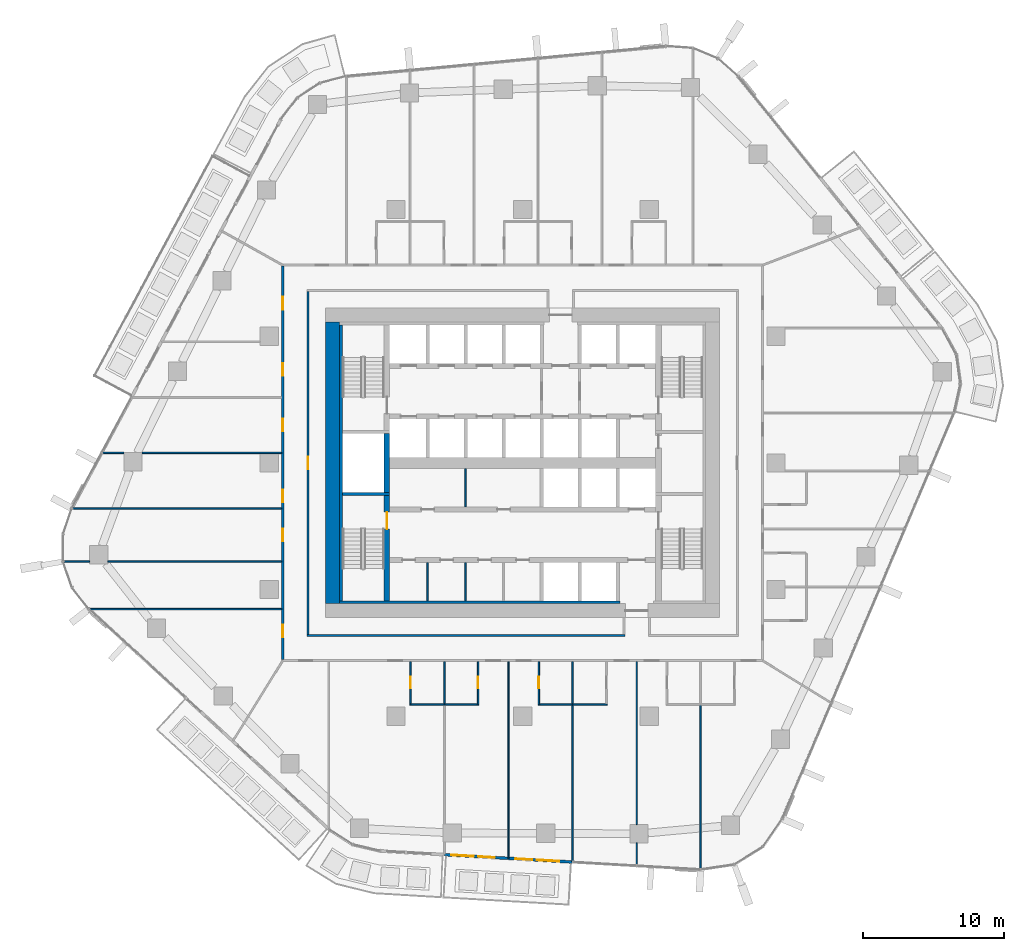
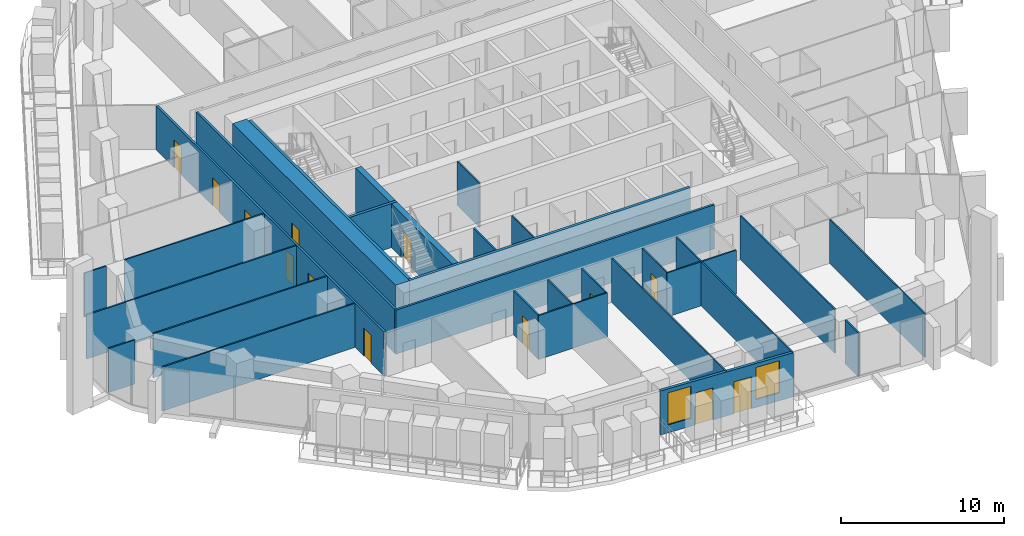
# One storey, part 12 of 24: 31 walls, 13 doors, 2 windows, 15 openings.
"""IFC4 building model written with IfcOpenShell, lengths in metres."""

from ifc_helpers import new_model, si_unit, direction, frame, frame_2d, origin, place, context, subcontext, project, spatial, rectangle, extrude, material, layer, layer_set, type_object, element, fill, save


model = new_model("IFC4")

# Units and contexts
model_context = context("Model", 3, precision=1e-05, world=origin(), true_north=direction((0.0, 1.0)))
body_context = subcontext(model_context, "Body", "Model", "MODEL_VIEW")
ifc_project = project(units=[si_unit("LENGTHUNIT", "METRE"), si_unit("AREAUNIT", "SQUARE_METRE"), si_unit("VOLUMEUNIT", "CUBIC_METRE"), si_unit("PLANEANGLEUNIT", "RADIAN"), si_unit("MASSUNIT", "GRAM", prefix="KILO")], contexts=[model_context])

# Site, building, storey
site_placement = place(None, origin())
site = spatial("IfcSite", under=ifc_project, at=site_placement, CompositionType="ELEMENT")
building_placement = place(site_placement, origin())
building = spatial("IfcBuilding", under=site, at=building_placement, Name="Dongbaek Canopy Tower", CompositionType="ELEMENT")
storey_placement = place(building_placement, frame((0.0, 0.0, 117.39990234375)))
storey = spatial("IfcBuildingStorey", under=building, at=storey_placement, Name="L25", CompositionType="ELEMENT", Elevation=117.39990234375)

# Walls
ifc_material_1 = material(Name="Concrete C60/75", Category="concrete")
ifc_layer_1 = layer(ifc_material_1, 1.0)
ifc_layer_set_1 = layer_set([ifc_layer_1], Name="Core outer wall 1000 Concrete C60/75")
wall_type_1 = type_object("IfcWallType", Name="Core outer wall 1000 Concrete C60/75", PredefinedType="SHEAR", material=ifc_layer_set_1)
wall_1_placement = place(storey_placement, frame((-13.5, -10.0, 0.0), z_axis=(0.0, 0.0, 1.0), x_axis=(0.0, 1.0, 0.0)))
element("IfcWall", 1, at=wall_1_placement, inside=storey, type_object=wall_type_1, Name="Core wall", PredefinedType="SHEAR", context=body_context, shape_type="SweptSolid", body=[
    extrude(rectangle(XDim=20.0, YDim=1.0, at=frame_2d((10.0, 0.0))), origin(), (0.0, 0.0, 1.0), 3.300048828125),
])
ifc_material_2 = material(Name="Concrete C60/75", Category="concrete")
ifc_layer_2 = layer(ifc_material_2, 0.199951171875)
ifc_layer_set_2 = layer_set([ifc_layer_2], Name="Core wall lining 200 Concrete C60/75")
wall_type_2 = type_object("IfcWallType", Name="Core wall lining 200 Concrete C60/75", PredefinedType="SHEAR", material=ifc_layer_set_2)
wall_2_placement = place(storey_placement, frame((6.89990234375, -9.89990234375, 0.0), z_axis=(0.0, 0.0, 1.0), x_axis=(-1.0, 0.0, 0.0)))
element("IfcWall", 2, at=wall_2_placement, inside=storey, type_object=wall_type_2, Name="Core wall lining", PredefinedType="SHEAR", context=body_context, shape_type="SweptSolid", body=[
    extrude(rectangle(XDim=19.89990234375, YDim=0.199951171875, at=frame_2d((9.949951171875, 0.0))), origin(), (0.0, 0.0, 1.0), 3.300048828125),
])
wall_3_placement = place(storey_placement, frame((-12.89990234375, -9.800048828125, 0.0), z_axis=(0.0, 0.0, 1.0), x_axis=(0.0, 1.0, 0.0)))
element("IfcWall", 3, at=wall_3_placement, inside=storey, type_object=wall_type_2, Name="Core wall lining", PredefinedType="SHEAR", context=body_context, shape_type="SweptSolid", body=[
    extrude(rectangle(XDim=19.60009765625, YDim=0.199951171875, at=frame_2d((9.800048828125, 0.0))), origin(), (0.0, 0.0, 1.0), 3.300048828125),
])
ifc_material_3 = material(Name="Gypsum board partition, steel stud, 2 x 15 mm fire board", Category="steel")
ifc_layer_3 = layer(ifc_material_3, 0.14990234375)
ifc_layer_set_3 = layer_set([ifc_layer_3], Name="Fire-rated partition 150 gypsum board")
wall_type_3 = type_object("IfcWallType", Name="Fire-rated partition 150 gypsum board", PredefinedType="PARTITIONING", material=ifc_layer_set_3)
wall_4_placement = place(storey_placement, frame((-15.324951171875, -12.25, 0.0), z_axis=(0.0, 0.0, 1.0), x_axis=(1.0, 0.0, 0.0)))
element("IfcWall", 4, at=wall_4_placement, inside=storey, type_object=wall_type_3, Name="Corridor partition", PredefinedType="PARTITIONING", context=body_context, shape_type="SweptSolid", body=[
    extrude(rectangle(XDim=22.599853515625, YDim=0.14990234375, at=frame_2d((11.2998046875, 0.0))), origin(), (0.0, 0.0, 1.0), 3.300048828125),
])

# Wall, opening, door
wall_5_placement = place(storey_placement, frame((-15.25, 12.175048828125, 0.0), z_axis=(0.0, 0.0, 1.0), x_axis=(0.0, -1.0, 0.0)))
wall_5 = element("IfcWall", 5, at=wall_5_placement, inside=storey, type_object=wall_type_3, Name="Corridor partition", PredefinedType="PARTITIONING", context=body_context, shape_type="SweptSolid", body=[
    extrude(rectangle(XDim=24.35009765625, YDim=0.14990234375, at=frame_2d((12.175048828125, 0.0))), origin(), (0.0, 0.0, 1.0), 3.300048828125),
])
opening_1_placement = place(wall_5_placement, frame((11.72509765625, 0.0, 0.0)))
opening_1 = element("IfcOpeningElement", 6, at=opening_1_placement, cuts=wall_5, Name="Opening L25-D041", PredefinedType="OPENING", context=body_context, shape_type="SweptSolid", body=[
    extrude(rectangle(XDim=0.89990234375, YDim=2.10009765625, at=frame_2d((0.449951171875, 1.050048828125))), frame((0.0, 0.0849609375, 0.0), z_axis=(0.0, -1.0, 0.0), x_axis=(1.0, 0.0, 0.0)), (0.0, 0.0, 1.0), 0.169921875),
])
ifc_material_4 = material(Name="Timber veneered door leaf", Category="wood")
door_type_1 = type_object("IfcDoorType", Name="Room door 900 x 2100", OperationType="SINGLE_SWING_LEFT", PredefinedType="DOOR", material=ifc_material_4)
door_1_placement = place(opening_1_placement, origin())
door_1 = element("IfcDoor", 7, at=door_1_placement, inside=storey, type_object=door_type_1, Name="Door L25-D041", OperationType="SINGLE_SWING_LEFT", OverallHeight=2.10009765625, OverallWidth=0.89990234375, PredefinedType="DOOR", context=body_context, shape_type="SweptSolid", body=[
    extrude(rectangle(XDim=0.89990234375, YDim=2.10009765625, at=frame_2d((0.449951171875, 1.050048828125))), frame((0.0, 0.02490234375, 0.0), z_axis=(0.0, -1.0, 0.0), x_axis=(1.0, 0.0, 0.0)), (0.0, 0.0, 1.0), 0.050048828125),
])
fill(opening_1, door_1)

# Wall, openings, doors
wall_6_placement = place(storey_placement, frame((-17.050048828125, -13.97509765625, 0.0), z_axis=(0.0, 0.0, 1.0), x_axis=(0.0, 1.0, 0.0)))
wall_6 = element("IfcWall", 8, at=wall_6_placement, inside=storey, type_object=wall_type_3, Name="Corridor partition", PredefinedType="PARTITIONING", context=body_context, shape_type="SweptSolid", body=[
    extrude(rectangle(XDim=27.9501953125, YDim=0.14990234375, at=frame_2d((13.97509765625, 0.0))), origin(), (0.0, 0.0, 1.0), 3.300048828125),
])
opening_2_placement = place(wall_6_placement, frame((11.186279296875, 0.0, 0.0)))
opening_2 = element("IfcOpeningElement", 9, at=opening_2_placement, cuts=wall_6, Name="Opening L25-D001", PredefinedType="OPENING", context=body_context, shape_type="SweptSolid", body=[
    extrude(rectangle(XDim=0.89990234375, YDim=2.10009765625, at=frame_2d((0.449951171875, 1.050048828125))), frame((0.0, 0.0849609375, 0.0), z_axis=(0.0, -1.0, 0.0), x_axis=(1.0, 0.0, 0.0)), (0.0, 0.0, 1.0), 0.169921875),
])
opening_3_placement = place(wall_6_placement, frame((8.403564453125, 0.0, 0.0)))
opening_3 = element("IfcOpeningElement", 10, at=opening_3_placement, cuts=wall_6, Name="Opening L25-D002", PredefinedType="OPENING", context=body_context, shape_type="SweptSolid", body=[
    extrude(rectangle(XDim=0.89990234375, YDim=2.10009765625, at=frame_2d((0.449951171875, 1.050048828125))), frame((0.0, 0.0849609375, 0.0), z_axis=(0.0, -1.0, 0.0), x_axis=(1.0, 0.0, 0.0)), (0.0, 0.0, 1.0), 0.169921875),
])
opening_4_placement = place(wall_6_placement, frame((1.580078125, 0.0, 0.0)))
opening_4 = element("IfcOpeningElement", 11, at=opening_4_placement, cuts=wall_6, Name="Opening L25-D003", PredefinedType="OPENING", context=body_context, shape_type="SweptSolid", body=[
    extrude(rectangle(XDim=0.89990234375, YDim=2.10009765625, at=frame_2d((0.449951171875, 1.050048828125))), frame((0.0, 0.0849609375, 0.0), z_axis=(0.0, -1.0, 0.0), x_axis=(1.0, 0.0, 0.0)), (0.0, 0.0, 1.0), 0.169921875),
])
opening_5_placement = place(wall_6_placement, frame((24.870849609375, 0.0, 0.0)))
opening_5 = element("IfcOpeningElement", 12, at=opening_5_placement, cuts=wall_6, Name="Opening L25-D038", PredefinedType="OPENING", context=body_context, shape_type="SweptSolid", body=[
    extrude(rectangle(XDim=0.89990234375, YDim=2.10009765625, at=frame_2d((0.449951171875, 1.050048828125))), frame((0.0, 0.0849609375, 0.0), z_axis=(0.0, -1.0, 0.0), x_axis=(1.0, 0.0, 0.0)), (0.0, 0.0, 1.0), 0.169921875),
])
opening_6_placement = place(wall_6_placement, frame((20.15869140625, 0.0, 0.0)))
opening_6 = element("IfcOpeningElement", 13, at=opening_6_placement, cuts=wall_6, Name="Opening L25-D039", PredefinedType="OPENING", context=body_context, shape_type="SweptSolid", body=[
    extrude(rectangle(XDim=0.89990234375, YDim=2.10009765625, at=frame_2d((0.449951171875, 1.050048828125))), frame((0.0, 0.0849609375, 0.0), z_axis=(0.0, -1.0, 0.0), x_axis=(1.0, 0.0, 0.0)), (0.0, 0.0, 1.0), 0.169921875),
])
opening_7_placement = place(wall_6_placement, frame((16.210693359375, 0.0, 0.0)))
opening_7 = element("IfcOpeningElement", 14, at=opening_7_placement, cuts=wall_6, Name="Opening L25-D040", PredefinedType="OPENING", context=body_context, shape_type="SweptSolid", body=[
    extrude(rectangle(XDim=0.89990234375, YDim=2.10009765625, at=frame_2d((0.449951171875, 1.050048828125))), frame((0.0, 0.0849609375, 0.0), z_axis=(0.0, -1.0, 0.0), x_axis=(1.0, 0.0, 0.0)), (0.0, 0.0, 1.0), 0.169921875),
])
door_2_placement = place(opening_2_placement, origin())
door_2 = element("IfcDoor", 15, at=door_2_placement, inside=storey, type_object=door_type_1, Name="Door L25-D001", OperationType="SINGLE_SWING_RIGHT", OverallHeight=2.10009765625, OverallWidth=0.89990234375, PredefinedType="DOOR", context=body_context, shape_type="SweptSolid", body=[
    extrude(rectangle(XDim=0.89990234375, YDim=2.10009765625, at=frame_2d((0.449951171875, 1.050048828125))), frame((0.0, 0.02490234375, 0.0), z_axis=(0.0, -1.0, 0.0), x_axis=(1.0, 0.0, 0.0)), (0.0, 0.0, 1.0), 0.050048828125),
])
fill(opening_2, door_2)
door_3_placement = place(opening_3_placement, origin())
door_3 = element("IfcDoor", 16, at=door_3_placement, inside=storey, type_object=door_type_1, Name="Door L25-D002", OperationType="SINGLE_SWING_LEFT", OverallHeight=2.10009765625, OverallWidth=0.89990234375, PredefinedType="DOOR", context=body_context, shape_type="SweptSolid", body=[
    extrude(rectangle(XDim=0.89990234375, YDim=2.10009765625, at=frame_2d((0.449951171875, 1.050048828125))), frame((0.0, 0.02490234375, 0.0), z_axis=(0.0, -1.0, 0.0), x_axis=(1.0, 0.0, 0.0)), (0.0, 0.0, 1.0), 0.050048828125),
])
fill(opening_3, door_3)
door_4_placement = place(opening_4_placement, origin())
door_4 = element("IfcDoor", 17, at=door_4_placement, inside=storey, type_object=door_type_1, Name="Door L25-D003", OperationType="SINGLE_SWING_LEFT", OverallHeight=2.10009765625, OverallWidth=0.89990234375, PredefinedType="DOOR", context=body_context, shape_type="SweptSolid", body=[
    extrude(rectangle(XDim=0.89990234375, YDim=2.10009765625, at=frame_2d((0.449951171875, 1.050048828125))), frame((0.0, 0.02490234375, 0.0), z_axis=(0.0, -1.0, 0.0), x_axis=(1.0, 0.0, 0.0)), (0.0, 0.0, 1.0), 0.050048828125),
])
fill(opening_4, door_4)
door_5_placement = place(opening_5_placement, origin())
door_5 = element("IfcDoor", 18, at=door_5_placement, inside=storey, type_object=door_type_1, Name="Door L25-D038", OperationType="SINGLE_SWING_RIGHT", OverallHeight=2.10009765625, OverallWidth=0.89990234375, PredefinedType="DOOR", context=body_context, shape_type="SweptSolid", body=[
    extrude(rectangle(XDim=0.89990234375, YDim=2.10009765625, at=frame_2d((0.449951171875, 1.050048828125))), frame((0.0, 0.02490234375, 0.0), z_axis=(0.0, -1.0, 0.0), x_axis=(1.0, 0.0, 0.0)), (0.0, 0.0, 1.0), 0.050048828125),
])
fill(opening_5, door_5)
door_6_placement = place(opening_6_placement, origin())
door_6 = element("IfcDoor", 19, at=door_6_placement, inside=storey, type_object=door_type_1, Name="Door L25-D039", OperationType="SINGLE_SWING_LEFT", OverallHeight=2.10009765625, OverallWidth=0.89990234375, PredefinedType="DOOR", context=body_context, shape_type="SweptSolid", body=[
    extrude(rectangle(XDim=0.89990234375, YDim=2.10009765625, at=frame_2d((0.449951171875, 1.050048828125))), frame((0.0, 0.02490234375, 0.0), z_axis=(0.0, -1.0, 0.0), x_axis=(1.0, 0.0, 0.0)), (0.0, 0.0, 1.0), 0.050048828125),
])
fill(opening_6, door_6)
door_7_placement = place(opening_7_placement, origin())
door_7 = element("IfcDoor", 20, at=door_7_placement, inside=storey, type_object=door_type_1, Name="Door L25-D040", OperationType="SINGLE_SWING_RIGHT", OverallHeight=2.10009765625, OverallWidth=0.89990234375, PredefinedType="DOOR", context=body_context, shape_type="SweptSolid", body=[
    extrude(rectangle(XDim=0.89990234375, YDim=2.10009765625, at=frame_2d((0.449951171875, 1.050048828125))), frame((0.0, 0.02490234375, 0.0), z_axis=(0.0, -1.0, 0.0), x_axis=(1.0, 0.0, 0.0)), (0.0, 0.0, 1.0), 0.050048828125),
])
fill(opening_7, door_7)

# Walls
ifc_material_5 = material(Name="Gypsum board partition, steel stud, 2 x 12.5 mm board", Category="steel")
ifc_layer_4 = layer(ifc_material_5, 0.10009765625)
ifc_layer_set_4 = layer_set([ifc_layer_4], Name="Partition 100 gypsum board")
wall_type_4 = type_object("IfcWallType", Name="Partition 100 gypsum board", PredefinedType="PARTITIONING", material=ifc_layer_set_4)
for number, where, z_axis, x_axis, name in (
    (21, (-8.01708984375, -17.14990234375, 0.0), (0.0, 0.0, 1.0), (1.0, 0.0, 0.0), "Partition"),
    (22, (1.09521484375, -17.14990234375, 0.0), (0.0, 0.0, 1.0), (1.0, 0.0, 0.0), "Partition"),
):
    element("IfcWall", number, at=place(storey_placement, frame(where, z_axis=z_axis, x_axis=x_axis)), inside=storey, type_object=wall_type_4, Name=name, PredefinedType="PARTITIONING", context=body_context, shape_type="SweptSolid", body=[
        extrude(rectangle(XDim=4.89990234375, YDim=0.10009765625, at=frame_2d((2.449951171875, 0.0))), origin(), (0.0, 0.0, 1.0), 3.300048828125),
    ])
wall_7_placement = place(storey_placement, frame((-30.79296875, -10.383056640625, 0.0), z_axis=(0.0, 0.0, 1.0), x_axis=(1.0, 0.0, 0.0)))
element("IfcWall", 23, at=wall_7_placement, inside=storey, type_object=wall_type_4, Name="Partition", PredefinedType="PARTITIONING", context=body_context, shape_type="SweptSolid", body=[
    extrude(rectangle(XDim=13.66796875, YDim=0.10009765625, at=frame_2d((6.833984375, 0.0))), origin(), (0.0, 0.0, 1.0), 3.300048828125),
])
wall_8_placement = place(storey_placement, frame((-32.63525390625, -7.013916015625, 0.0), z_axis=(0.0, 0.0, 1.0), x_axis=(1.0, 0.0, 0.0)))
element("IfcWall", 24, at=wall_8_placement, inside=storey, type_object=wall_type_4, Name="Partition", PredefinedType="PARTITIONING", context=body_context, shape_type="SweptSolid", body=[
    extrude(rectangle(XDim=1.8603515625, YDim=0.10009765625, at=frame_2d((0.93017578125, 0.0))), origin(), (0.0, 0.0, 1.0), 3.300048828125),
])
wall_9_placement = place(storey_placement, frame((-29.47509765625, -7.013916015625, 0.0), z_axis=(0.0, 0.0, 1.0), x_axis=(1.0, 0.0, 0.0)))
element("IfcWall", 25, at=wall_9_placement, inside=storey, type_object=wall_type_4, Name="Partition", PredefinedType="PARTITIONING", context=body_context, shape_type="SweptSolid", body=[
    extrude(rectangle(XDim=12.35009765625, YDim=0.10009765625, at=frame_2d((6.175048828125, 0.0))), origin(), (0.0, 0.0, 1.0), 3.300048828125),
])
wall_10_placement = place(storey_placement, frame((-32.0107421875, -3.22900390625, 0.0), z_axis=(0.0, 0.0, 1.0), x_axis=(1.0, 0.0, 0.0)))
element("IfcWall", 26, at=wall_10_placement, inside=storey, type_object=wall_type_4, Name="Partition", PredefinedType="PARTITIONING", context=body_context, shape_type="SweptSolid", body=[
    extrude(rectangle(XDim=14.8857421875, YDim=0.10009765625, at=frame_2d((7.44287109375, 0.0))), origin(), (0.0, 0.0, 1.0), 3.300048828125),
])
wall_11_placement = place(storey_placement, frame((-29.892822265625, 0.7119140625, 0.0), z_axis=(0.0, 0.0, 1.0), x_axis=(1.0, 0.0, 0.0)))
element("IfcWall", 27, at=wall_11_placement, inside=storey, type_object=wall_type_4, Name="Partition", PredefinedType="PARTITIONING", context=body_context, shape_type="SweptSolid", body=[
    extrude(rectangle(XDim=1.5498046875, YDim=0.10009765625, at=frame_2d((0.77490234375, 0.0))), origin(), (0.0, 0.0, 1.0), 3.300048828125),
])
wall_12_placement = place(storey_placement, frame((-27.04296875, 0.7119140625, 0.0), z_axis=(0.0, 0.0, 1.0), x_axis=(1.0, 0.0, 0.0)))
element("IfcWall", 28, at=wall_12_placement, inside=storey, type_object=wall_type_4, Name="Partition", PredefinedType="PARTITIONING", context=body_context, shape_type="SweptSolid", body=[
    extrude(rectangle(XDim=9.91796875, YDim=0.10009765625, at=frame_2d((4.958984375, 0.0))), origin(), (0.0, 0.0, 1.0), 3.300048828125),
])
wall_13_placement = place(storey_placement, frame((12.64697265625, -28.864013671875, 0.0), z_axis=(0.0, 0.0, 1.0), x_axis=(0.0, 1.0, 0.0)))
element("IfcWall", 29, at=wall_13_placement, inside=storey, type_object=wall_type_4, Name="Partition", PredefinedType="PARTITIONING", context=body_context, shape_type="SweptSolid", body=[
    extrude(rectangle(XDim=11.6640625, YDim=0.10009765625, at=frame_2d((5.83203125, 0.0))), origin(), (0.0, 0.0, 1.0), 3.300048828125),
])
wall_14_placement = place(storey_placement, frame((8.10107421875, -28.601318359375, 0.0), z_axis=(0.0, 0.0, 1.0), x_axis=(0.0, 1.0, 0.0)))
element("IfcWall", 30, at=wall_14_placement, inside=storey, type_object=wall_type_4, Name="Partition", PredefinedType="PARTITIONING", context=body_context, shape_type="SweptSolid", body=[
    extrude(rectangle(XDim=1.602294921875, YDim=0.10009765625, at=frame_2d((0.80126953125, 0.0))), origin(), (0.0, 0.0, 1.0), 3.300048828125),
])
wall_15_placement = place(storey_placement, frame((8.10107421875, -25.698974609375, 0.0), z_axis=(0.0, 0.0, 1.0), x_axis=(0.0, 1.0, 0.0)))
element("IfcWall", 31, at=wall_15_placement, inside=storey, type_object=wall_type_4, Name="Partition", PredefinedType="PARTITIONING", context=body_context, shape_type="SweptSolid", body=[
    extrude(rectangle(XDim=11.573974609375, YDim=0.10009765625, at=frame_2d((5.787109375, 0.0))), origin(), (0.0, 0.0, 1.0), 3.300048828125),
])
wall_16_placement = place(storey_placement, frame((3.544921875, -28.337646484375, 0.0), z_axis=(0.0, 0.0, 1.0), x_axis=(0.0, 1.0, 0.0)))
element("IfcWall", 32, at=wall_16_placement, inside=storey, type_object=wall_type_4, Name="Partition", PredefinedType="PARTITIONING", context=body_context, shape_type="SweptSolid", body=[
    extrude(rectangle(XDim=11.1376953125, YDim=0.10009765625, at=frame_2d((5.56884765625, 0.0))), origin(), (0.0, 0.0, 1.0), 3.300048828125),
])
wall_17_placement = place(storey_placement, frame((3.544921875, -17.10009765625, 0.0), z_axis=(0.0, 0.0, 1.0), x_axis=(0.0, 1.0, 0.0)))
element("IfcWall", 33, at=wall_17_placement, inside=storey, type_object=wall_type_4, Name="Partition", PredefinedType="PARTITIONING", context=body_context, shape_type="SweptSolid", body=[
    extrude(rectangle(XDim=2.97509765625, YDim=0.10009765625, at=frame_2d((1.487548828125, 0.0))), origin(), (0.0, 0.0, 1.0), 3.300048828125),
])

# Wall, opening, door
wall_18_placement = place(storey_placement, frame((1.14501953125, -14.125, 0.0), z_axis=(0.0, 0.0, 1.0), x_axis=(0.0, -1.0, 0.0)))
wall_18 = element("IfcWall", 34, at=wall_18_placement, inside=storey, type_object=wall_type_4, Name="Partition", PredefinedType="PARTITIONING", context=body_context, shape_type="SweptSolid", body=[
    extrude(rectangle(XDim=3.02490234375, YDim=0.10009765625, at=frame_2d((1.512451171875, 0.0))), origin(), (0.0, 0.0, 1.0), 3.300048828125),
])
opening_8_placement = place(wall_18_placement, frame((1.074951171875, 0.0, 0.0)))
opening_8 = element("IfcOpeningElement", 35, at=opening_8_placement, cuts=wall_18, Name="Opening L25-D009", PredefinedType="OPENING", context=body_context, shape_type="SweptSolid", body=[
    extrude(rectangle(XDim=0.800048828125, YDim=2.10009765625, at=frame_2d((0.39990234375, 1.050048828125))), frame((0.0, 0.06005859375, 0.0), z_axis=(0.0, -1.0, 0.0), x_axis=(1.0, 0.0, 0.0)), (0.0, 0.0, 1.0), 0.1201171875),
])
ifc_material_6 = material(Name="Timber veneered door leaf", Category="wood")
door_type_2 = type_object("IfcDoorType", Name="En-suite door 800 x 2100", OperationType="SINGLE_SWING_LEFT", PredefinedType="DOOR", material=ifc_material_6)
door_8_placement = place(opening_8_placement, origin())
door_8 = element("IfcDoor", 36, at=door_8_placement, inside=storey, type_object=door_type_2, Name="Door L25-D009", OperationType="SINGLE_SWING_RIGHT", OverallHeight=2.10009765625, OverallWidth=0.800048828125, PredefinedType="DOOR", context=body_context, shape_type="SweptSolid", body=[
    extrude(rectangle(XDim=0.800048828125, YDim=2.10009765625, at=frame_2d((0.39990234375, 1.050048828125))), frame((0.0, 0.02490234375, 0.0), z_axis=(0.0, -1.0, 0.0), x_axis=(1.0, 0.0, 0.0)), (0.0, 0.0, 1.0), 0.050048828125),
])
fill(opening_8, door_8)

# Wall
wall_19_placement = place(storey_placement, frame((-1.010986328125, -28.07421875, 0.0), z_axis=(0.0, 0.0, 1.0), x_axis=(0.0, 1.0, 0.0)))
element("IfcWall", 37, at=wall_19_placement, inside=storey, type_object=wall_type_4, Name="Partition", PredefinedType="PARTITIONING", context=body_context, shape_type="SweptSolid", body=[
    extrude(rectangle(XDim=13.94921875, YDim=0.10009765625, at=frame_2d((6.974609375, 0.0))), origin(), (0.0, 0.0, 1.0), 3.300048828125),
])

# Wall, opening, door
wall_20_placement = place(storey_placement, frame((-3.1669921875, -17.14990234375, 0.0), z_axis=(0.0, 0.0, 1.0), x_axis=(0.0, 1.0, 0.0)))
wall_20 = element("IfcWall", 38, at=wall_20_placement, inside=storey, type_object=wall_type_4, Name="Partition", PredefinedType="PARTITIONING", context=body_context, shape_type="SweptSolid", body=[
    extrude(rectangle(XDim=3.02490234375, YDim=0.10009765625, at=frame_2d((1.512451171875, 0.0))), origin(), (0.0, 0.0, 1.0), 3.300048828125),
])
opening_9_placement = place(wall_20_placement, frame((1.14990234375, 0.0, 0.0)))
opening_9 = element("IfcOpeningElement", 39, at=opening_9_placement, cuts=wall_20, Name="Opening L25-D007", PredefinedType="OPENING", context=body_context, shape_type="SweptSolid", body=[
    extrude(rectangle(XDim=0.800048828125, YDim=2.10009765625, at=frame_2d((0.39990234375, 1.050048828125))), frame((0.0, 0.06005859375, 0.0), z_axis=(0.0, -1.0, 0.0), x_axis=(1.0, 0.0, 0.0)), (0.0, 0.0, 1.0), 0.1201171875),
])
door_9_placement = place(opening_9_placement, origin())
door_9 = element("IfcDoor", 40, at=door_9_placement, inside=storey, type_object=door_type_2, Name="Door L25-D007", OperationType="SINGLE_SWING_LEFT", OverallHeight=2.10009765625, OverallWidth=0.800048828125, PredefinedType="DOOR", context=body_context, shape_type="SweptSolid", body=[
    extrude(rectangle(XDim=0.800048828125, YDim=2.10009765625, at=frame_2d((0.39990234375, 1.050048828125))), frame((0.0, 0.02490234375, 0.0), z_axis=(0.0, -1.0, 0.0), x_axis=(1.0, 0.0, 0.0)), (0.0, 0.0, 1.0), 0.050048828125),
])
fill(opening_9, door_9)

# Wall
wall_21_placement = place(storey_placement, frame((-5.56689453125, -17.10009765625, 0.0), z_axis=(0.0, 0.0, 1.0), x_axis=(0.0, 1.0, 0.0)))
element("IfcWall", 41, at=wall_21_placement, inside=storey, type_object=wall_type_4, Name="Partition", PredefinedType="PARTITIONING", context=body_context, shape_type="SweptSolid", body=[
    extrude(rectangle(XDim=2.97509765625, YDim=0.10009765625, at=frame_2d((1.487548828125, 0.0))), origin(), (0.0, 0.0, 1.0), 3.300048828125),
])

# Wall, opening, door
wall_22_placement = place(storey_placement, frame((-7.967041015625, -14.125, 0.0), z_axis=(0.0, 0.0, 1.0), x_axis=(0.0, -1.0, 0.0)))
wall_22 = element("IfcWall", 42, at=wall_22_placement, inside=storey, type_object=wall_type_4, Name="Partition", PredefinedType="PARTITIONING", context=body_context, shape_type="SweptSolid", body=[
    extrude(rectangle(XDim=2.97509765625, YDim=0.10009765625, at=frame_2d((1.487548828125, 0.0))), origin(), (0.0, 0.0, 1.0), 3.300048828125),
])
opening_10_placement = place(wall_22_placement, frame((1.074951171875, 0.0, 0.0)))
opening_10 = element("IfcOpeningElement", 43, at=opening_10_placement, cuts=wall_22, Name="Opening L25-D005", PredefinedType="OPENING", context=body_context, shape_type="SweptSolid", body=[
    extrude(rectangle(XDim=0.800048828125, YDim=2.10009765625, at=frame_2d((0.39990234375, 1.050048828125))), frame((0.0, 0.06005859375, 0.0), z_axis=(0.0, -1.0, 0.0), x_axis=(1.0, 0.0, 0.0)), (0.0, 0.0, 1.0), 0.1201171875),
])
door_10_placement = place(opening_10_placement, origin())
door_10 = element("IfcDoor", 44, at=door_10_placement, inside=storey, type_object=door_type_2, Name="Door L25-D005", OperationType="SINGLE_SWING_RIGHT", OverallHeight=2.10009765625, OverallWidth=0.800048828125, PredefinedType="DOOR", context=body_context, shape_type="SweptSolid", body=[
    extrude(rectangle(XDim=0.800048828125, YDim=2.10009765625, at=frame_2d((0.39990234375, 1.050048828125))), frame((0.0, 0.02490234375, 0.0), z_axis=(0.0, -1.0, 0.0), x_axis=(1.0, 0.0, 0.0)), (0.0, 0.0, 1.0), 0.050048828125),
])
fill(opening_10, door_10)

# Walls
for number, where, z_axis, x_axis, name in (
    (45, (-4.050048828125, -9.800048828125, 0.0), (0.0, 0.0, 1.0), (0.0, 1.0, 0.0), "Core partition"),
    (46, (-4.050048828125, -3.125, 0.0), (0.0, 0.0, 1.0), (0.0, 1.0, 0.0), "Core partition"),
    (47, (-6.75, -9.800048828125, 0.0), (0.0, 0.0, 1.0), (0.0, 1.0, 0.0), "Core partition"),
):
    element("IfcWall", number, at=place(storey_placement, frame(where, z_axis=z_axis, x_axis=x_axis)), inside=storey, type_object=wall_type_4, Name=name, PredefinedType="PARTITIONING", context=body_context, shape_type="SweptSolid", body=[
        extrude(rectangle(XDim=2.72509765625, YDim=0.10009765625, at=frame_2d((1.362548828125, 0.0))), origin(), (0.0, 0.0, 1.0), 3.300048828125),
    ])
ifc_material_7 = material(Name="Concrete C60/75", Category="concrete")
ifc_layer_5 = layer(ifc_material_7, 0.199951171875)
ifc_layer_set_5 = layer_set([ifc_layer_5], Name="Riser wall 200 Concrete C60/75")
wall_type_5 = type_object("IfcWallType", Name="Riser wall 200 Concrete C60/75", PredefinedType="SHEAR", material=ifc_layer_set_5)
wall_23_placement = place(storey_placement, frame((-9.449951171875, -2.199951171875, 0.0), z_axis=(0.0, 0.0, 1.0), x_axis=(-1.0, 0.0, 0.0)))
element("IfcWall", 48, at=wall_23_placement, inside=storey, type_object=wall_type_5, Name="Riser wall", PredefinedType="SHEAR", context=body_context, shape_type="SweptSolid", body=[
    extrude(rectangle(XDim=3.35009765625, YDim=0.199951171875, at=frame_2d((1.675048828125, 0.0))), origin(), (0.0, 0.0, 1.0), 3.300048828125),
])

# Wall, opening, door
ifc_material_8 = material(Name="Concrete C60/75", Category="concrete")
ifc_layer_6 = layer(ifc_material_8, 0.39990234375)
ifc_layer_set_6 = layer_set([ifc_layer_6], Name="Stair wall 400 Concrete C60/75")
wall_type_6 = type_object("IfcWallType", Name="Stair wall 400 Concrete C60/75", PredefinedType="SHEAR", material=ifc_layer_set_6)
wall_24_placement = place(storey_placement, frame((-9.64990234375, -9.800048828125, 0.0), z_axis=(0.0, 0.0, 1.0), x_axis=(0.0, 1.0, 0.0)))
wall_24 = element("IfcWall", 49, at=wall_24_placement, inside=storey, type_object=wall_type_6, Name="Stair wall", PredefinedType="SHEAR", context=body_context, shape_type="SweptSolid", body=[
    extrude(rectangle(XDim=7.5, YDim=0.39990234375, at=frame_2d((3.75, 0.0))), origin(), (0.0, 0.0, 1.0), 3.300048828125),
])
opening_11_placement = place(wall_24_placement, frame((5.10009765625, 0.0, 0.0)))
opening_11 = element("IfcOpeningElement", 50, at=opening_11_placement, cuts=wall_24, Name="Opening L25-D071", PredefinedType="OPENING", context=body_context, shape_type="SweptSolid", body=[
    extrude(rectangle(XDim=1.199951171875, YDim=2.10009765625, at=frame_2d((0.60009765625, 1.050048828125))), frame((0.0, 0.2099609375, 0.0), z_axis=(0.0, -1.0, 0.0), x_axis=(1.0, 0.0, 0.0)), (0.0, 0.0, 1.0), 0.419921875),
])
ifc_material_9 = material(Name="Steel", Category="steel")
door_type_3 = type_object("IfcDoorType", Name="Stair door 1200 x 2100", OperationType="SINGLE_SWING_LEFT", PredefinedType="DOOR", material=ifc_material_9)
door_11_placement = place(opening_11_placement, origin())
door_11 = element("IfcDoor", 51, at=door_11_placement, inside=storey, type_object=door_type_3, Name="Stair D door", OperationType="SINGLE_SWING_LEFT", OverallHeight=2.10009765625, OverallWidth=1.199951171875, PredefinedType="DOOR", context=body_context, shape_type="SweptSolid", body=[
    extrude(rectangle(XDim=1.199951171875, YDim=2.10009765625, at=frame_2d((0.60009765625, 1.050048828125))), frame((0.0, 0.02490234375, 0.0), z_axis=(0.0, -1.0, 0.0), x_axis=(1.0, 0.0, 0.0)), (0.0, 0.0, 1.0), 0.050048828125),
])
fill(opening_11, door_11)

# Wall
wall_25_placement = place(storey_placement, frame((-9.64990234375, -2.10009765625, 0.0), z_axis=(0.0, 0.0, 1.0), x_axis=(0.0, 1.0, 0.0)))
element("IfcWall", 52, at=wall_25_placement, inside=storey, type_object=wall_type_6, Name="Stair wall", PredefinedType="SHEAR", context=body_context, shape_type="SweptSolid", body=[
    extrude(rectangle(XDim=4.2001953125, YDim=0.39990234375, at=frame_2d((2.10009765625, 0.0))), origin(), (0.0, 0.0, 1.0), 3.300048828125),
])

# Wall, openings, doors, windows
ifc_material_10 = material(Name="Aluminium window wall", Category="aluminium")
ifc_layer_7 = layer(ifc_material_10, 0.199951171875)
ifc_layer_set_7 = layer_set([ifc_layer_7], Name="Window wall 200")
wall_type_7 = type_object("IfcWallType", Name="Window wall 200", PredefinedType="SOLIDWALL", material=ifc_layer_set_7)
wall_26_placement = place(storey_placement, frame((-5.567138671875, -27.83056640625, 0.0), z_axis=(0.0, 0.0, 1.0), x_axis=(0.998331175274, -0.057748285484, 0.0)))
wall_26 = element("IfcWall", 53, at=wall_26_placement, inside=storey, type_object=wall_type_7, Name="Window wall L25 4", PredefinedType="SOLIDWALL", context=body_context, shape_type="SweptSolid", body=[
    extrude(rectangle(XDim=9.12744140625, YDim=0.199951171875, at=frame_2d((4.563720703125, 0.0))), origin(), (0.0, 0.0, 1.0), 3.300048828125),
])
opening_12_placement = place(wall_26_placement, frame((0.5, 0.0, 0.60009765625)))
opening_12 = element("IfcOpeningElement", 54, at=opening_12_placement, cuts=wall_26, Name="Opening W1", PredefinedType="OPENING", context=body_context, shape_type="SweptSolid", body=[
    extrude(rectangle(XDim=1.60009765625, YDim=2.39990234375, at=frame_2d((0.800048828125, 1.199951171875))), frame((0.0, 0.10986328125, 0.0), z_axis=(0.0, -1.0, 0.0), x_axis=(1.0, 0.0, 0.0)), (0.0, 0.0, 1.0), 0.219970703125),
])
opening_13_placement = place(wall_26_placement, frame((2.39990234375, 0.0, 0.0)))
opening_13 = element("IfcOpeningElement", 55, at=opening_13_placement, cuts=wall_26, Name="Opening L25-B12", PredefinedType="OPENING", context=body_context, shape_type="SweptSolid", body=[
    extrude(rectangle(XDim=1.199951171875, YDim=2.39990234375, at=frame_2d((0.60009765625, 1.199951171875))), frame((0.0, 0.10986328125, 0.0), z_axis=(0.0, -1.0, 0.0), x_axis=(1.0, 0.0, 0.0)), (0.0, 0.0, 1.0), 0.219970703125),
])
opening_14_placement = place(wall_26_placement, frame((6.563720703125, 0.0, 0.60009765625)))
opening_14 = element("IfcOpeningElement", 56, at=opening_14_placement, cuts=wall_26, Name="Opening W1", PredefinedType="OPENING", context=body_context, shape_type="SweptSolid", body=[
    extrude(rectangle(XDim=1.60009765625, YDim=2.39990234375, at=frame_2d((0.800048828125, 1.199951171875))), frame((0.0, 0.10986328125, 0.0), z_axis=(0.0, -1.0, 0.0), x_axis=(1.0, 0.0, 0.0)), (0.0, 0.0, 1.0), 0.219970703125),
])
opening_15_placement = place(wall_26_placement, frame((5.063720703125, 0.0, 0.0)))
opening_15 = element("IfcOpeningElement", 57, at=opening_15_placement, cuts=wall_26, Name="Opening L25-B13", PredefinedType="OPENING", context=body_context, shape_type="SweptSolid", body=[
    extrude(rectangle(XDim=1.199951171875, YDim=2.39990234375, at=frame_2d((0.60009765625, 1.199951171875))), frame((0.0, 0.10986328125, 0.0), z_axis=(0.0, -1.0, 0.0), x_axis=(1.0, 0.0, 0.0)), (0.0, 0.0, 1.0), 0.219970703125),
])
ifc_material_11 = material(Name="Clear glazing in aluminium frame", Category="aluminium")
door_type_4 = type_object("IfcDoorType", Name="Balcony door BD1 1200 x 2400", OperationType="SLIDING_TO_LEFT", PredefinedType="DOOR", material=ifc_material_11)
door_12_placement = place(opening_13_placement, origin())
door_12 = element("IfcDoor", 58, at=door_12_placement, inside=storey, type_object=door_type_4, Name="Balcony door L25-B12", OperationType="SLIDING_TO_LEFT", OverallHeight=2.39990234375, OverallWidth=1.199951171875, PredefinedType="DOOR", context=body_context, shape_type="SweptSolid", body=[
    extrude(rectangle(XDim=1.199951171875, YDim=2.39990234375, at=frame_2d((0.60009765625, 1.199951171875))), frame((0.0, 0.02490234375, 0.0), z_axis=(0.0, -1.0, 0.0), x_axis=(1.0, 0.0, 0.0)), (0.0, 0.0, 1.0), 0.050048828125),
])
fill(opening_13, door_12)
door_13_placement = place(opening_15_placement, origin())
door_13 = element("IfcDoor", 59, at=door_13_placement, inside=storey, type_object=door_type_4, Name="Balcony door L25-B13", OperationType="SLIDING_TO_LEFT", OverallHeight=2.39990234375, OverallWidth=1.199951171875, PredefinedType="DOOR", context=body_context, shape_type="SweptSolid", body=[
    extrude(rectangle(XDim=1.199951171875, YDim=2.39990234375, at=frame_2d((0.60009765625, 1.199951171875))), frame((0.0, 0.02490234375, 0.0), z_axis=(0.0, -1.0, 0.0), x_axis=(1.0, 0.0, 0.0)), (0.0, 0.0, 1.0), 0.050048828125),
])
fill(opening_15, door_13)
ifc_material_12 = material(Name="Clear glazing in aluminium frame", Category="aluminium")
window_type = type_object("IfcWindowType", Name="Window W1 1600 x 2400", PartitioningType="SINGLE_PANEL", PredefinedType="WINDOW", material=ifc_material_12)
window_1_placement = place(opening_12_placement, origin())
window_1 = element("IfcWindow", 60, at=window_1_placement, inside=storey, type_object=window_type, Name="Window L25 4.1", OverallHeight=2.39990234375, OverallWidth=1.60009765625, PartitioningType="SINGLE_PANEL", PredefinedType="WINDOW", context=body_context, shape_type="SweptSolid", body=[
    extrude(rectangle(XDim=1.60009765625, YDim=2.39990234375, at=frame_2d((0.800048828125, 1.199951171875))), frame((0.0, 0.030029296875, 0.0), z_axis=(0.0, -1.0, 0.0), x_axis=(1.0, 0.0, 0.0)), (0.0, 0.0, 1.0), 0.06005859375),
])
fill(opening_12, window_1)
window_2_placement = place(opening_14_placement, origin())
window_2 = element("IfcWindow", 61, at=window_2_placement, inside=storey, type_object=window_type, Name="Window L25 4.2", OverallHeight=2.39990234375, OverallWidth=1.60009765625, PartitioningType="SINGLE_PANEL", PredefinedType="WINDOW", context=body_context, shape_type="SweptSolid", body=[
    extrude(rectangle(XDim=1.60009765625, YDim=2.39990234375, at=frame_2d((0.800048828125, 1.199951171875))), frame((0.0, 0.030029296875, 0.0), z_axis=(0.0, -1.0, 0.0), x_axis=(1.0, 0.0, 0.0)), (0.0, 0.0, 1.0), 0.06005859375),
])
fill(opening_14, window_2)

save(model, "model.ifc")
